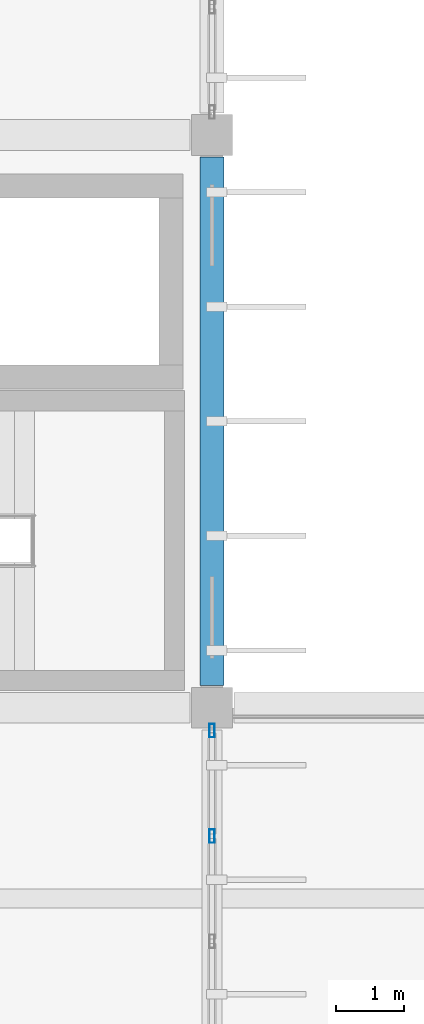
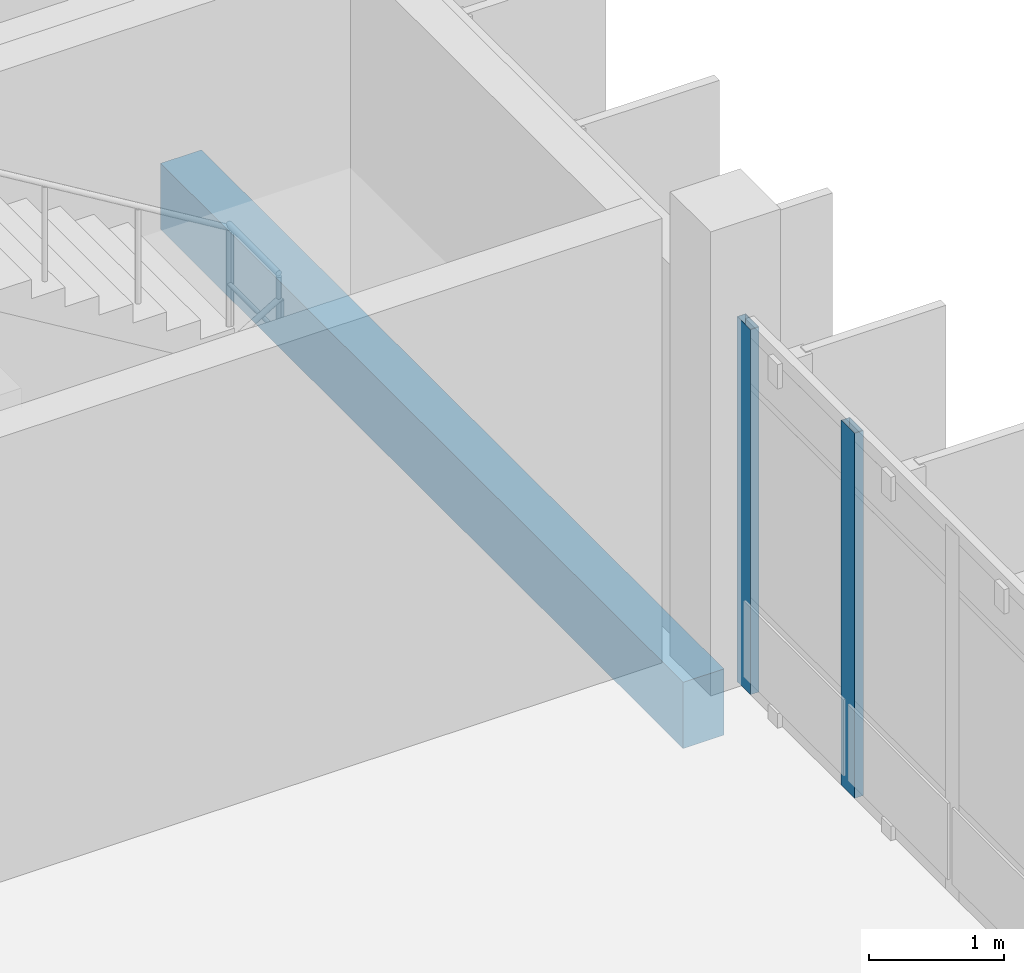
# One storey, part 45 of 130: 2 members, 1 beam, 1 element without a shape of its own.
"""IFC4 building model written with IfcOpenShell, lengths in metres."""

from ifc_helpers import new_model, si_unit, direction, frame, origin, origin_2d, place, context, subcontext, project, spatial, rectangle, hollow_rectangle, extrude, material, layer, layer_set, material_profile, profile_set, type_object, element, aggregate, save


model = new_model("IFC4")

# Units and contexts
model_context = context("Model", 3, precision=1e-05, world=origin(), true_north=direction((0.0, 1.0)))
body_context = subcontext(model_context, "Body", "Model", "MODEL_VIEW")
ifc_project = project(units=[si_unit("LENGTHUNIT", "METRE"), si_unit("AREAUNIT", "SQUARE_METRE"), si_unit("VOLUMEUNIT", "CUBIC_METRE"), si_unit("PLANEANGLEUNIT", "RADIAN"), si_unit("MASSUNIT", "GRAM", prefix="KILO")], contexts=[model_context])

# Site, building, storey
site_placement = place(None, origin())
site = spatial("IfcSite", under=ifc_project, at=site_placement, CompositionType="ELEMENT")
building_placement = place(site_placement, origin())
building = spatial("IfcBuilding", under=site, at=building_placement, Name="Vireocrest Preparatory School", CompositionType="ELEMENT")
storey_placement = place(building_placement, frame((0.0, 0.0, 9.0)))
storey = spatial("IfcBuildingStorey", under=building, at=storey_placement, Name="L02", CompositionType="ELEMENT", Elevation=9.0)

# Curtain wall, members
ifc_material_1 = material(Name="Thermally broken aluminium EN AW-6063-T6", Category="aluminium")
ifc_layer = layer(ifc_material_1, 0.179931640625)
ifc_layer_set = layer_set([ifc_layer], Name="Thermally broken aluminium EN AW-6063-T6")
curtain_wall_type = type_object("IfcCurtainWallType", Name="Teaching Fin Curtain Wall 8400x4200", PredefinedType="USERDEFINED", material=ifc_layer_set)
curtain_wall_placement = place(storey_placement, origin())
curtain_wall = element("IfcCurtainWall", 1, at=curtain_wall_placement, inside=storey, type_object=curtain_wall_type, Name="Curtain Wall CW03 CW_L02_CW03_1092_0357_090", ObjectType="CURTAIN WALL", PredefinedType="USERDEFINED")
ifc_material_profile_1 = material_profile(ifc_material_1, hollow_rectangle(XDim=0.074951171875, YDim=0.199951171875, WallThickness=0.0048828125, at=origin_2d()), Name="ALU 75x200x5")
ifc_profile_set_1 = profile_set([ifc_material_profile_1], Name="Thermally broken aluminium EN AW-6063-T6")
member_type = type_object("IfcMemberType", Name="CW Mullion 75x200x5", PredefinedType="MULLION", material=ifc_profile_set_1)
member_1_placement = place(storey_placement, frame((109.199951171875, 41.9189453125, 0.0), z_axis=(0.0, 0.0, 1.0), x_axis=(1.0, 0.0, 0.0)))
member_1 = element("IfcMember", 2, at=member_1_placement, type_object=member_type, Name="CW Mullion ML3 CW_L02_CW03_1092_0357_090-5", PredefinedType="MULLION", context=body_context, shape_type="SweptSolid", body=[
    extrude(hollow_rectangle(XDim=0.074951171875, YDim=0.199951171875, WallThickness=0.0048828125, at=origin_2d()), origin(), (0.0, 0.0, 1.0), 3.304931640625),
])
member_2_placement = place(storey_placement, frame((109.199951171875, 43.465087890625, 0.0), z_axis=(0.0, 0.0, 1.0), x_axis=(1.0, 0.0, 0.0)))
member_2 = element("IfcMember", 3, at=member_2_placement, type_object=member_type, Name="CW Mullion ML3 CW_L02_CW03_1092_0357_090-6", PredefinedType="MULLION", context=body_context, shape_type="SweptSolid", body=[
    extrude(hollow_rectangle(XDim=0.074951171875, YDim=0.199951171875, WallThickness=0.0048828125, at=origin_2d()), origin(), (0.0, 0.0, 1.0), 3.304931640625),
])
aggregate(curtain_wall, [member_1, member_2])

# Beam
ifc_material_2 = material(Name="Concrete 40 MPa", Category="concrete")
ifc_material_profile_2 = material_profile(ifc_material_2, rectangle(XDim=0.35009765625, YDim=0.60009765625, at=origin_2d()), Name="RC 350x600")
ifc_profile_set_2 = profile_set([ifc_material_profile_2], Name="Concrete 40 MPa")
beam_type = type_object("IfcBeamType", Name="RC Classroom Girder 350x600", PredefinedType="BEAM", material=ifc_profile_set_2)
beam_placement = place(storey_placement, frame((109.199951171875, 44.125, -0.60009765625), z_axis=(0.0, 1.0, 0.0), x_axis=(-1.0, 0.0, 0.0)))
element("IfcBeam", 4, at=beam_placement, inside=storey, type_object=beam_type, Name="Primary Girder B04 L02-0861", PredefinedType="BEAM", context=body_context, shape_type="SweptSolid", body=[
    extrude(rectangle(XDim=0.35009765625, YDim=0.60009765625, at=origin_2d()), origin(), (0.0, 0.0, 1.0), 7.75),
])

save(model, "model.ifc")
